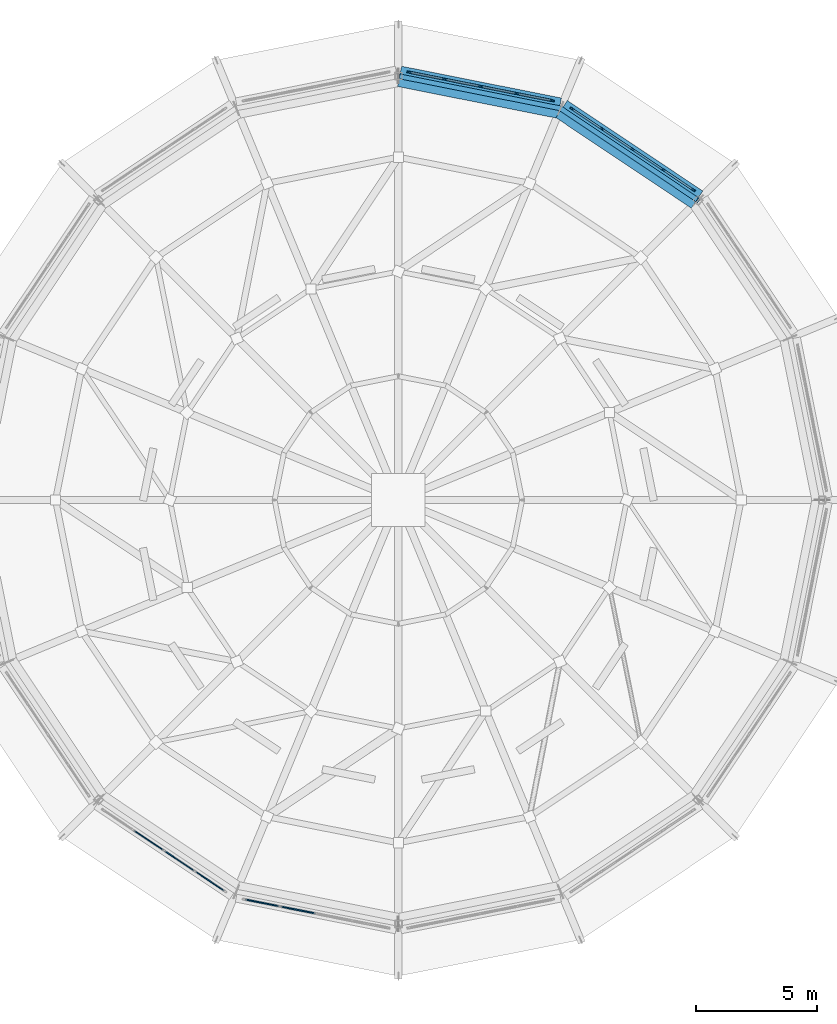
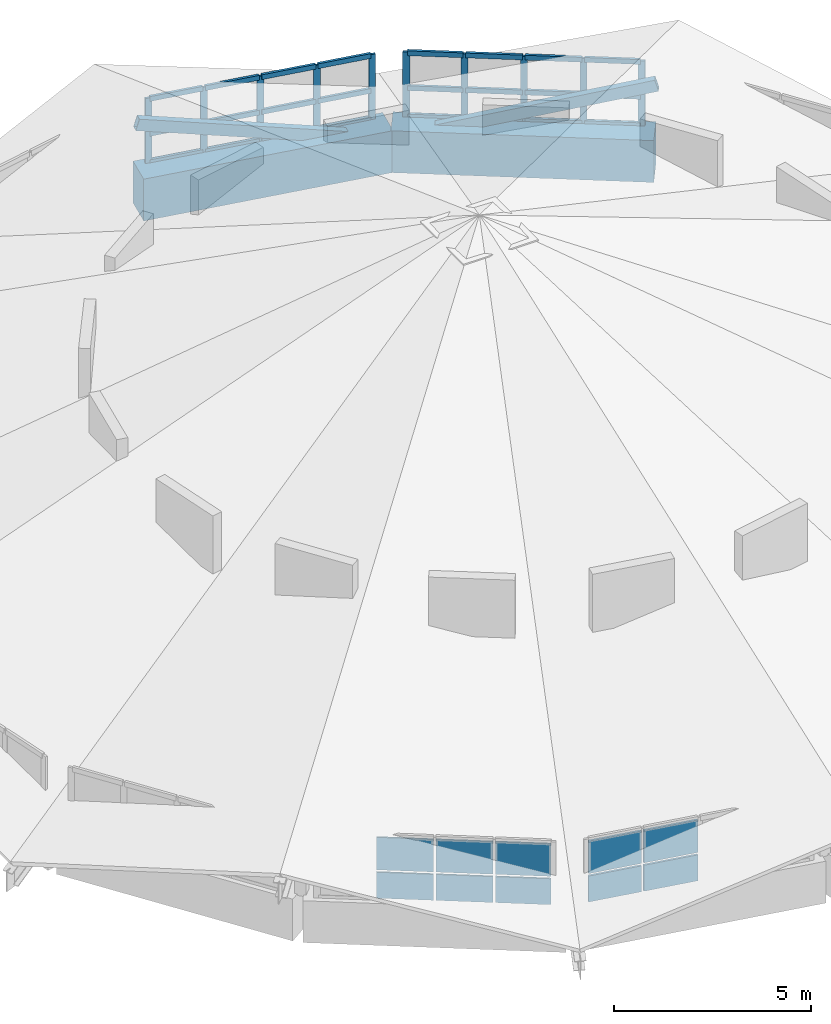
# One storey, part 8 of 18: 36 members, 10 plates, 2 beams, 4 elements without a shape of their own.
"""IFC4 building model written with IfcOpenShell, lengths in metres."""

from ifc_helpers import new_model, si_unit, direction, frame, origin, origin_2d, place, context, subcontext, project, spatial, rectangle, hollow_rectangle, extrude, material, layer, layer_set, material_profile, profile_set, type_object, element, aggregate, save


model = new_model("IFC4")

# Units and contexts
model_context = context("Model", 3, precision=1e-05, world=origin(), true_north=direction((0.0, 1.0)))
body_context = subcontext(model_context, "Body", "Model", "MODEL_VIEW")
ifc_project = project(units=[si_unit("LENGTHUNIT", "METRE"), si_unit("AREAUNIT", "SQUARE_METRE"), si_unit("VOLUMEUNIT", "CUBIC_METRE"), si_unit("PLANEANGLEUNIT", "RADIAN"), si_unit("MASSUNIT", "GRAM", prefix="KILO")], contexts=[model_context])

# Site, building, storey
site_placement = place(None, origin())
site = spatial("IfcSite", under=ifc_project, at=site_placement, CompositionType="ELEMENT")
building_placement = place(site_placement, origin())
building = spatial("IfcBuilding", under=site, at=building_placement, Name="Soyqirgoq Riverine Aquarium", CompositionType="ELEMENT")
storey_placement = place(building_placement, frame((0.0, 0.0, 29.39990234375)))
storey = spatial("IfcBuildingStorey", under=building, at=storey_placement, Name="RF", CompositionType="ELEMENT", Elevation=29.39990234375)

# Curtain wall, members
ifc_material_1 = material(Name="Anodised aluminium acoustic solar-control clerestory glazing", Category="aluminium")
curtain_wall_type = type_object("IfcCurtainWallType", Name="CW_Clerestory_Ring", PredefinedType="NOTDEFINED", material=ifc_material_1)
curtain_wall_1_placement = place(storey_placement, origin())
curtain_wall_1 = element("IfcCurtainWall", 1, at=curtain_wall_1_placement, inside=storey, type_object=curtain_wall_type, Name="V1 RF Curtain Wall 011", PredefinedType="NOTDEFINED")
ifc_material_2 = material(Name="Anodised aluminium 6063-T6", Category="aluminium")
ifc_material_profile_1 = material_profile(ifc_material_2, rectangle(XDim=0.06494140625, YDim=0.179931640625, at=origin_2d()), Name="ALU-M 65x180")
ifc_profile_set_1 = profile_set([ifc_material_profile_1], Name="Anodised aluminium 6063-T6")
member_type_1 = type_object("IfcMemberType", Name="CWMullion_65x180", PredefinedType="MULLION", material=ifc_profile_set_1)
member_1_placement = place(storey_placement, frame((68.1396484375, 69.76708984375, -0.02001953125), z_axis=(0.0, 0.0, 1.0), x_axis=(-0.555578639957, -0.831463994905, 0.0)))
member_1 = element("IfcMember", 2, at=member_1_placement, type_object=member_type_1, Name="CW-02 mullion 1", PredefinedType="MULLION", context=body_context, shape_type="SweptSolid", body=[
    extrude(rectangle(XDim=0.06494140625, YDim=0.179931640625, at=origin_2d()), origin(), (0.0, 0.0, 1.0), 2.0400390625),
])
member_2_placement = place(storey_placement, frame((66.905517578125, 70.591796875, -0.02001953125), z_axis=(0.0, 0.0, 1.0), x_axis=(-0.555578639957, -0.831463994905, 0.0)))
member_2 = element("IfcMember", 3, at=member_2_placement, type_object=member_type_1, Name="CW-02 mullion 2", PredefinedType="MULLION", context=body_context, shape_type="SweptSolid", body=[
    extrude(rectangle(XDim=0.06494140625, YDim=0.179931640625, at=origin_2d()), origin(), (0.0, 0.0, 1.0), 2.0400390625),
])
member_3_placement = place(storey_placement, frame((65.64453125, 71.434326171875, -0.02001953125), z_axis=(0.0, 0.0, 1.0), x_axis=(-0.555578639957, -0.831463994905, 0.0)))
member_3 = element("IfcMember", 4, at=member_3_placement, type_object=member_type_1, Name="CW-02 mullion 3", PredefinedType="MULLION", context=body_context, shape_type="SweptSolid", body=[
    extrude(rectangle(XDim=0.06494140625, YDim=0.179931640625, at=origin_2d()), origin(), (0.0, 0.0, 1.0), 2.0400390625),
])
member_4_placement = place(storey_placement, frame((64.3837890625, 72.27685546875, -0.02001953125), z_axis=(0.0, 0.0, 1.0), x_axis=(-0.555578639957, -0.831463994905, 0.0)))
member_4 = element("IfcMember", 5, at=member_4_placement, type_object=member_type_1, Name="CW-02 mullion 4", PredefinedType="MULLION", context=body_context, shape_type="SweptSolid", body=[
    extrude(rectangle(XDim=0.06494140625, YDim=0.179931640625, at=origin_2d()), origin(), (0.0, 0.0, 1.0), 2.0400390625),
])
member_5_placement = place(storey_placement, frame((63.149658203125, 73.101318359375, -0.02001953125), z_axis=(0.0, 0.0, 1.0), x_axis=(-0.555578639957, -0.831463994905, 0.0)))
member_5 = element("IfcMember", 6, at=member_5_placement, type_object=member_type_1, Name="CW-02 mullion 5", PredefinedType="MULLION", context=body_context, shape_type="SweptSolid", body=[
    extrude(rectangle(XDim=0.06494140625, YDim=0.179931640625, at=origin_2d()), origin(), (0.0, 0.0, 1.0), 2.0400390625),
])

curtain_wall_2_placement = place(storey_placement, origin())
curtain_wall_2 = element("IfcCurtainWall", 7, at=curtain_wall_2_placement, inside=storey, type_object=curtain_wall_type, Name="V1 RF Curtain Wall 018", PredefinedType="NOTDEFINED")
member_6_placement = place(storey_placement, frame((62.329833984375, 73.44091796875, -0.02001953125), z_axis=(0.0, 0.0, 1.0), x_axis=(-0.19509525167, -0.980784299821, 0.0)))
member_6 = element("IfcMember", 8, at=member_6_placement, type_object=member_type_1, Name="CW-02 mullion 1", PredefinedType="MULLION", context=body_context, shape_type="SweptSolid", body=[
    extrude(rectangle(XDim=0.06494140625, YDim=0.179931640625, at=origin_2d()), origin(), (0.0, 0.0, 1.0), 2.0400390625),
])
member_7_placement = place(storey_placement, frame((60.874267578125, 73.73046875, -0.02001953125), z_axis=(0.0, 0.0, 1.0), x_axis=(-0.19509525167, -0.980784299821, 0.0)))
member_7 = element("IfcMember", 9, at=member_7_placement, type_object=member_type_1, Name="CW-02 mullion 2", PredefinedType="MULLION", context=body_context, shape_type="SweptSolid", body=[
    extrude(rectangle(XDim=0.06494140625, YDim=0.179931640625, at=origin_2d()), origin(), (0.0, 0.0, 1.0), 2.0400390625),
])
member_8_placement = place(storey_placement, frame((59.38671875, 74.0263671875, -0.02001953125), z_axis=(0.0, 0.0, 1.0), x_axis=(-0.19509525167, -0.980784299821, 0.0)))
member_8 = element("IfcMember", 10, at=member_8_placement, type_object=member_type_1, Name="CW-02 mullion 3", PredefinedType="MULLION", context=body_context, shape_type="SweptSolid", body=[
    extrude(rectangle(XDim=0.06494140625, YDim=0.179931640625, at=origin_2d()), origin(), (0.0, 0.0, 1.0), 2.0400390625),
])
member_9_placement = place(storey_placement, frame((57.8994140625, 74.322265625, -0.02001953125), z_axis=(0.0, 0.0, 1.0), x_axis=(-0.19509525167, -0.980784299821, 0.0)))
member_9 = element("IfcMember", 11, at=member_9_placement, type_object=member_type_1, Name="CW-02 mullion 4", PredefinedType="MULLION", context=body_context, shape_type="SweptSolid", body=[
    extrude(rectangle(XDim=0.06494140625, YDim=0.179931640625, at=origin_2d()), origin(), (0.0, 0.0, 1.0), 2.0400390625),
])
member_10_placement = place(storey_placement, frame((56.44384765625, 74.61181640625, -0.02001953125), z_axis=(0.0, 0.0, 1.0), x_axis=(-0.19509525167, -0.980784299821, 0.0)))
member_10 = element("IfcMember", 12, at=member_10_placement, type_object=member_type_1, Name="CW-02 mullion 5", PredefinedType="MULLION", context=body_context, shape_type="SweptSolid", body=[
    extrude(rectangle(XDim=0.06494140625, YDim=0.179931640625, at=origin_2d()), origin(), (0.0, 0.0, 1.0), 2.0400390625),
])

# Member
ifc_material_3 = material(Name="Anodised aluminium 6063-T6", Category="aluminium")
ifc_material_profile_2 = material_profile(ifc_material_3, rectangle(XDim=0.074951171875, YDim=0.14990234375, at=origin_2d()), Name="ALU-T 75x150")
ifc_profile_set_2 = profile_set([ifc_material_profile_2], Name="Anodised aluminium 6063-T6")
member_type_2 = type_object("IfcMemberType", Name="CWTransom_75x150", PredefinedType="USERDEFINED", material=ifc_profile_set_2)
member_11_placement = place(storey_placement, frame((68.112548828125, 69.78515625, 0.017578125), z_axis=(-0.831414566046, 0.555652606731, 0.0), x_axis=(-0.555652606731, -0.831414566046, 0.0)))
member_11 = element("IfcMember", 13, at=member_11_placement, type_object=member_type_2, Name="CW-02 transom 1.1", ObjectType="TRANSOM", PredefinedType="USERDEFINED", context=body_context, shape_type="SweptSolid", body=[
    extrude(rectangle(XDim=0.074951171875, YDim=0.14990234375, at=origin_2d()), origin(), (0.0, 0.0, 1.0), 1.419189453125),
])

member_12_placement = place(storey_placement, frame((68.112548828125, 69.78515625, 0.898193359375), z_axis=(-0.831414566046, 0.555652606731, 0.0), x_axis=(-0.555652606731, -0.831414566046, 0.0)))
member_12 = element("IfcMember", 14, at=member_12_placement, type_object=member_type_2, Name="CW-02 transom 1.2", ObjectType="TRANSOM", PredefinedType="USERDEFINED", context=body_context, shape_type="SweptSolid", body=[
    extrude(rectangle(XDim=0.074951171875, YDim=0.14990234375, at=origin_2d()), origin(), (0.0, 0.0, 1.0), 1.419189453125),
])

member_13_placement = place(storey_placement, frame((68.112548828125, 69.78515625, 1.982666015625), z_axis=(-0.831414566046, 0.555652606731, 0.0), x_axis=(-0.555652606731, -0.831414566046, 0.0)))
member_13 = element("IfcMember", 15, at=member_13_placement, type_object=member_type_2, Name="CW-02 transom 1.3", ObjectType="TRANSOM", PredefinedType="USERDEFINED", context=body_context, shape_type="SweptSolid", body=[
    extrude(rectangle(XDim=0.074951171875, YDim=0.14990234375, at=origin_2d()), origin(), (0.0, 0.0, 1.0), 1.419189453125),
])

member_14_placement = place(storey_placement, frame((66.878662109375, 70.609619140625, 0.017578125), z_axis=(-0.831428840366, 0.555631247688, 0.0), x_axis=(-0.555631247688, -0.831428840366, 0.0)))
member_14 = element("IfcMember", 16, at=member_14_placement, type_object=member_type_2, Name="CW-02 transom 2.1", ObjectType="TRANSOM", PredefinedType="USERDEFINED", context=body_context, shape_type="SweptSolid", body=[
    extrude(rectangle(XDim=0.074951171875, YDim=0.14990234375, at=origin_2d()), origin(), (0.0, 0.0, 1.0), 1.45166015625),
])

member_15_placement = place(storey_placement, frame((66.878662109375, 70.609619140625, 0.898193359375), z_axis=(-0.831428840366, 0.555631247688, 0.0), x_axis=(-0.555631247688, -0.831428840366, 0.0)))
member_15 = element("IfcMember", 17, at=member_15_placement, type_object=member_type_2, Name="CW-02 transom 2.2", ObjectType="TRANSOM", PredefinedType="USERDEFINED", context=body_context, shape_type="SweptSolid", body=[
    extrude(rectangle(XDim=0.074951171875, YDim=0.14990234375, at=origin_2d()), origin(), (0.0, 0.0, 1.0), 1.45166015625),
])

member_16_placement = place(storey_placement, frame((66.878662109375, 70.609619140625, 1.982666015625), z_axis=(-0.831428840366, 0.555631247688, 0.0), x_axis=(-0.555631247688, -0.831428840366, 0.0)))
member_16 = element("IfcMember", 18, at=member_16_placement, type_object=member_type_2, Name="CW-02 transom 2.3", ObjectType="TRANSOM", PredefinedType="USERDEFINED", context=body_context, shape_type="SweptSolid", body=[
    extrude(rectangle(XDim=0.074951171875, YDim=0.14990234375, at=origin_2d()), origin(), (0.0, 0.0, 1.0), 1.45166015625),
])

member_17_placement = place(storey_placement, frame((65.61767578125, 71.452392578125, 0.017578125), z_axis=(-0.831506528289, 0.555514980368, 0.0), x_axis=(-0.555514980368, -0.831506528289, 0.0)))
member_17 = element("IfcMember", 19, at=member_17_placement, type_object=member_type_2, Name="CW-02 transom 3.1", ObjectType="TRANSOM", PredefinedType="USERDEFINED", context=body_context, shape_type="SweptSolid", body=[
    extrude(rectangle(XDim=0.074951171875, YDim=0.14990234375, at=origin_2d()), origin(), (0.0, 0.0, 1.0), 1.45166015625),
])

member_18_placement = place(storey_placement, frame((65.61767578125, 71.452392578125, 0.898193359375), z_axis=(-0.831506528289, 0.555514980368, 0.0), x_axis=(-0.555514980368, -0.831506528289, 0.0)))
member_18 = element("IfcMember", 20, at=member_18_placement, type_object=member_type_2, Name="CW-02 transom 3.2", ObjectType="TRANSOM", PredefinedType="USERDEFINED", context=body_context, shape_type="SweptSolid", body=[
    extrude(rectangle(XDim=0.074951171875, YDim=0.14990234375, at=origin_2d()), origin(), (0.0, 0.0, 1.0), 1.45166015625),
])

member_19_placement = place(storey_placement, frame((65.61767578125, 71.452392578125, 1.982666015625), z_axis=(-0.831506528289, 0.555514980368, 0.0), x_axis=(-0.555514980368, -0.831506528289, 0.0)))
member_19 = element("IfcMember", 21, at=member_19_placement, type_object=member_type_2, Name="CW-02 transom 3.3", ObjectType="TRANSOM", PredefinedType="USERDEFINED", context=body_context, shape_type="SweptSolid", body=[
    extrude(rectangle(XDim=0.074951171875, YDim=0.14990234375, at=origin_2d()), origin(), (0.0, 0.0, 1.0), 1.45166015625),
])

member_20_placement = place(storey_placement, frame((64.356689453125, 72.294921875, 0.017578125), z_axis=(-0.831494038542, 0.55553367483, 0.0), x_axis=(-0.55553367483, -0.831494038542, 0.0)))
member_20 = element("IfcMember", 22, at=member_20_placement, type_object=member_type_2, Name="CW-02 transom 4.1", ObjectType="TRANSOM", PredefinedType="USERDEFINED", context=body_context, shape_type="SweptSolid", body=[
    extrude(rectangle(XDim=0.074951171875, YDim=0.14990234375, at=origin_2d()), origin(), (0.0, 0.0, 1.0), 1.4189453125),
])

member_21_placement = place(storey_placement, frame((64.356689453125, 72.294921875, 0.898193359375), z_axis=(-0.831494038542, 0.55553367483, 0.0), x_axis=(-0.55553367483, -0.831494038542, 0.0)))
member_21 = element("IfcMember", 23, at=member_21_placement, type_object=member_type_2, Name="CW-02 transom 4.2", ObjectType="TRANSOM", PredefinedType="USERDEFINED", context=body_context, shape_type="SweptSolid", body=[
    extrude(rectangle(XDim=0.074951171875, YDim=0.14990234375, at=origin_2d()), origin(), (0.0, 0.0, 1.0), 1.4189453125),
])

member_22_placement = place(storey_placement, frame((64.356689453125, 72.294921875, 1.982666015625), z_axis=(-0.831494038542, 0.55553367483, 0.0), x_axis=(-0.55553367483, -0.831494038542, 0.0)))
member_22 = element("IfcMember", 24, at=member_22_placement, type_object=member_type_2, Name="CW-02 transom 4.3", ObjectType="TRANSOM", PredefinedType="USERDEFINED", context=body_context, shape_type="SweptSolid", body=[
    extrude(rectangle(XDim=0.074951171875, YDim=0.14990234375, at=origin_2d()), origin(), (0.0, 0.0, 1.0), 1.4189453125),
])

aggregate(curtain_wall_1, [member_1, member_2, member_3, member_4, member_5, member_11, member_12, member_13, member_14, member_15, member_16, member_17, member_18, member_19, member_20, member_21, member_22])

member_23_placement = place(storey_placement, frame((62.2978515625, 73.447265625, 0.017578125), z_axis=(-0.980785260864, 0.195090420246, 0.0), x_axis=(-0.195090420246, -0.980785260864, 0.0)))
member_23 = element("IfcMember", 25, at=member_23_placement, type_object=member_type_2, Name="CW-02 transom 1.1", ObjectType="TRANSOM", PredefinedType="USERDEFINED", context=body_context, shape_type="SweptSolid", body=[
    extrude(rectangle(XDim=0.074951171875, YDim=0.14990234375, at=origin_2d()), origin(), (0.0, 0.0, 1.0), 1.419189453125),
])

member_24_placement = place(storey_placement, frame((62.2978515625, 73.447265625, 0.898193359375), z_axis=(-0.980785260864, 0.195090420246, 0.0), x_axis=(-0.195090420246, -0.980785260864, 0.0)))
member_24 = element("IfcMember", 26, at=member_24_placement, type_object=member_type_2, Name="CW-02 transom 1.2", ObjectType="TRANSOM", PredefinedType="USERDEFINED", context=body_context, shape_type="SweptSolid", body=[
    extrude(rectangle(XDim=0.074951171875, YDim=0.14990234375, at=origin_2d()), origin(), (0.0, 0.0, 1.0), 1.419189453125),
])

member_25_placement = place(storey_placement, frame((62.2978515625, 73.447265625, 1.982666015625), z_axis=(-0.980785260864, 0.195090420246, 0.0), x_axis=(-0.195090420246, -0.980785260864, 0.0)))
member_25 = element("IfcMember", 27, at=member_25_placement, type_object=member_type_2, Name="CW-02 transom 1.3", ObjectType="TRANSOM", PredefinedType="USERDEFINED", context=body_context, shape_type="SweptSolid", body=[
    extrude(rectangle(XDim=0.074951171875, YDim=0.14990234375, at=origin_2d()), origin(), (0.0, 0.0, 1.0), 1.419189453125),
])

member_26_placement = place(storey_placement, frame((60.84228515625, 73.73681640625, 0.017578125), z_axis=(-0.980780710478, 0.195113295173, 0.0), x_axis=(-0.195113295173, -0.980780710478, 0.0)))
member_26 = element("IfcMember", 28, at=member_26_placement, type_object=member_type_2, Name="CW-02 transom 2.1", ObjectType="TRANSOM", PredefinedType="USERDEFINED", context=body_context, shape_type="SweptSolid", body=[
    extrude(rectangle(XDim=0.074951171875, YDim=0.14990234375, at=origin_2d()), origin(), (0.0, 0.0, 1.0), 1.451416015625),
])

member_27_placement = place(storey_placement, frame((60.84228515625, 73.73681640625, 0.898193359375), z_axis=(-0.980780710478, 0.195113295173, 0.0), x_axis=(-0.195113295173, -0.980780710478, 0.0)))
member_27 = element("IfcMember", 29, at=member_27_placement, type_object=member_type_2, Name="CW-02 transom 2.2", ObjectType="TRANSOM", PredefinedType="USERDEFINED", context=body_context, shape_type="SweptSolid", body=[
    extrude(rectangle(XDim=0.074951171875, YDim=0.14990234375, at=origin_2d()), origin(), (0.0, 0.0, 1.0), 1.451416015625),
])

member_28_placement = place(storey_placement, frame((60.84228515625, 73.73681640625, 1.982666015625), z_axis=(-0.980780710478, 0.195113295173, 0.0), x_axis=(-0.195113295173, -0.980780710478, 0.0)))
member_28 = element("IfcMember", 30, at=member_28_placement, type_object=member_type_2, Name="CW-02 transom 2.3", ObjectType="TRANSOM", PredefinedType="USERDEFINED", context=body_context, shape_type="SweptSolid", body=[
    extrude(rectangle(XDim=0.074951171875, YDim=0.14990234375, at=origin_2d()), origin(), (0.0, 0.0, 1.0), 1.451416015625),
])

member_29_placement = place(storey_placement, frame((59.35498046875, 74.03271484375, 0.017578125), z_axis=(-0.980787112176, 0.195081112847, 0.0), x_axis=(-0.195081112847, -0.980787112176, 0.0)))
member_29 = element("IfcMember", 31, at=member_29_placement, type_object=member_type_2, Name="CW-02 transom 3.1", ObjectType="TRANSOM", PredefinedType="USERDEFINED", context=body_context, shape_type="SweptSolid", body=[
    extrude(rectangle(XDim=0.074951171875, YDim=0.14990234375, at=origin_2d()), origin(), (0.0, 0.0, 1.0), 1.45166015625),
])

member_30_placement = place(storey_placement, frame((59.35498046875, 74.03271484375, 0.898193359375), z_axis=(-0.980787112176, 0.195081112847, 0.0), x_axis=(-0.195081112847, -0.980787112176, 0.0)))
member_30 = element("IfcMember", 32, at=member_30_placement, type_object=member_type_2, Name="CW-02 transom 3.2", ObjectType="TRANSOM", PredefinedType="USERDEFINED", context=body_context, shape_type="SweptSolid", body=[
    extrude(rectangle(XDim=0.074951171875, YDim=0.14990234375, at=origin_2d()), origin(), (0.0, 0.0, 1.0), 1.45166015625),
])

member_31_placement = place(storey_placement, frame((59.35498046875, 74.03271484375, 1.982666015625), z_axis=(-0.980787112176, 0.195081112847, 0.0), x_axis=(-0.195081112847, -0.980787112176, 0.0)))
member_31 = element("IfcMember", 33, at=member_31_placement, type_object=member_type_2, Name="CW-02 transom 3.3", ObjectType="TRANSOM", PredefinedType="USERDEFINED", context=body_context, shape_type="SweptSolid", body=[
    extrude(rectangle(XDim=0.074951171875, YDim=0.14990234375, at=origin_2d()), origin(), (0.0, 0.0, 1.0), 1.45166015625),
])

member_32_placement = place(storey_placement, frame((57.867431640625, 74.32861328125, 0.017578125), z_axis=(-0.980785260864, 0.195090420246, 0.0), x_axis=(-0.195090420246, -0.980785260864, 0.0)))
member_32 = element("IfcMember", 34, at=member_32_placement, type_object=member_type_2, Name="CW-02 transom 4.1", ObjectType="TRANSOM", PredefinedType="USERDEFINED", context=body_context, shape_type="SweptSolid", body=[
    extrude(rectangle(XDim=0.074951171875, YDim=0.14990234375, at=origin_2d()), origin(), (0.0, 0.0, 1.0), 1.419189453125),
])

member_33_placement = place(storey_placement, frame((57.867431640625, 74.32861328125, 0.898193359375), z_axis=(-0.980785260864, 0.195090420246, 0.0), x_axis=(-0.195090420246, -0.980785260864, 0.0)))
member_33 = element("IfcMember", 35, at=member_33_placement, type_object=member_type_2, Name="CW-02 transom 4.2", ObjectType="TRANSOM", PredefinedType="USERDEFINED", context=body_context, shape_type="SweptSolid", body=[
    extrude(rectangle(XDim=0.074951171875, YDim=0.14990234375, at=origin_2d()), origin(), (0.0, 0.0, 1.0), 1.419189453125),
])

member_34_placement = place(storey_placement, frame((57.867431640625, 74.32861328125, 1.982666015625), z_axis=(-0.980785260864, 0.195090420246, 0.0), x_axis=(-0.195090420246, -0.980785260864, 0.0)))
member_34 = element("IfcMember", 36, at=member_34_placement, type_object=member_type_2, Name="CW-02 transom 4.3", ObjectType="TRANSOM", PredefinedType="USERDEFINED", context=body_context, shape_type="SweptSolid", body=[
    extrude(rectangle(XDim=0.074951171875, YDim=0.14990234375, at=origin_2d()), origin(), (0.0, 0.0, 1.0), 1.419189453125),
])

aggregate(curtain_wall_2, [member_6, member_7, member_8, member_9, member_10, member_23, member_24, member_25, member_26, member_27, member_28, member_29, member_30, member_31, member_32, member_33, member_34])

# Members
ifc_material_4 = material(Name="Structural steel S355", Category="steel")
ifc_material_profile_3 = material_profile(ifc_material_4, hollow_rectangle(XDim=0.199951171875, YDim=0.35009765625, WallThickness=0.012451171875, at=origin_2d()), Name="RHS 350x200x12.5")
ifc_profile_set_3 = profile_set([ifc_material_profile_3], Name="Structural steel S355")
member_type_3 = type_object("IfcMemberType", Name="GableChord_RHS350x200", PredefinedType="CHORD", material=ifc_profile_set_3)
member_35_placement = place(storey_placement, frame((68.339111328125, 69.339111328125, 1.47998046875), z_axis=(-0.797786450374, 0.533015890105, -0.281834775172), x_axis=(-0.555535665087, -0.831492708817, 0.0)))
element("IfcMember", 37, at=member_35_placement, inside=storey, type_object=member_type_3, Name="V1 Folded-Plate Gable Edge Chord 03", PredefinedType="CHORD", context=body_context, shape_type="SweptSolid", body=[
    extrude(hollow_rectangle(XDim=0.199951171875, YDim=0.35009765625, WallThickness=0.012451171875, at=origin_2d()), origin(), (0.0, 0.0, 1.0), 7.096435546875),
])
member_36_placement = place(storey_placement, frame((62.677734375, 73.12158203125, -0.52001953125), z_axis=(-0.941023577126, 0.187193232054, 0.281839176068), x_axis=(-0.195102357575, -0.980782886305, 0.0)))
element("IfcMember", 38, at=member_36_placement, inside=storey, type_object=member_type_3, Name="V1 Folded-Plate Gable Edge Chord 04", PredefinedType="CHORD", context=body_context, shape_type="SweptSolid", body=[
    extrude(hollow_rectangle(XDim=0.199951171875, YDim=0.35009765625, WallThickness=0.012451171875, at=origin_2d()), origin(), (0.0, 0.0, 1.0), 7.09619140625),
])

# Beams
ifc_material_5 = material(Name="Concrete C40/50", Category="concrete")
ifc_material_profile_4 = material_profile(ifc_material_5, rectangle(XDim=0.85009765625, YDim=1.300048828125, at=origin_2d()), Name="RC 850x1300")
ifc_profile_set_4 = profile_set([ifc_material_profile_4], Name="Concrete C40/50")
beam_type = type_object("IfcBeamType", Name="Girder_RC_850x1300", PredefinedType="BEAM", material=ifc_profile_set_4)
beam_1_placement = place(storey_placement, frame((68.29736328125, 69.36669921875, -0.64990234375), z_axis=(-0.831450738832, 0.555598478126, 0.0), x_axis=(-0.555598478126, -0.831450738832, 0.0)))
element("IfcBeam", 39, at=beam_1_placement, inside=storey, type_object=beam_type, Name="V1 RF Folded-Plate Compression Ring Girder 0156", PredefinedType="BEAM", context=body_context, shape_type="SweptSolid", body=[
    extrude(rectangle(XDim=0.85009765625, YDim=1.300048828125, at=origin_2d()), origin(), (0.0, 0.0, 1.0), 6.70849609375),
])
beam_2_placement = place(storey_placement, frame((62.62890625, 73.131591796875, -0.64990234375), z_axis=(-0.980791457792, 0.195059263618, 0.0), x_axis=(-0.195059263618, -0.980791457792, 0.0)))
element("IfcBeam", 40, at=beam_2_placement, inside=storey, type_object=beam_type, Name="V1 RF Folded-Plate Compression Ring Girder 0157", PredefinedType="BEAM", context=body_context, shape_type="SweptSolid", body=[
    extrude(rectangle(XDim=0.85009765625, YDim=1.300048828125, at=origin_2d()), origin(), (0.0, 0.0, 1.0), 6.708740234375),
])

# Curtain wall, plates
curtain_wall_3_placement = place(storey_placement, origin())
curtain_wall_3 = element("IfcCurtainWall", 41, at=curtain_wall_3_placement, inside=storey, type_object=curtain_wall_type, Name="V1 RF Curtain Wall 047", PredefinedType="NOTDEFINED")
ifc_material_6 = material(Name="Triple insulated laminated low-E glass", Category="glass")
ifc_layer_1 = layer(ifc_material_6, 0.0458984375)
ifc_layer_set_1 = layer_set([ifc_layer_1], Name="Triple insulated laminated low-E glass")
plate_type_1 = type_object("IfcPlateType", Name="CWGlazedPanel_46", PredefinedType="CURTAIN_PANEL", material=ifc_layer_set_1)
plate_1_placement = place(storey_placement, frame((45.724853515625, 42.987060546875, 0.05517578125), z_axis=(0.0, 0.0, 1.0), x_axis=(0.831463994905, -0.555578639957, 0.0)))
plate_1 = element("IfcPlate", 42, at=plate_1_placement, type_object=plate_type_1, Name="CW-02 panel 2.1", PredefinedType="CURTAIN_PANEL", context=body_context, shape_type="SweptSolid", body=[
    extrude(rectangle(XDim=1.45166015625, YDim=0.0458984375, at=origin_2d()), origin(), (0.0, 0.0, 1.0), 0.805419921875),
])
plate_2_placement = place(storey_placement, frame((45.724853515625, 42.987060546875, 0.935546875), z_axis=(0.0, 0.0, 1.0), x_axis=(0.831463994905, -0.555578639957, 0.0)))
plate_2 = element("IfcPlate", 43, at=plate_2_placement, type_object=plate_type_1, Name="CW-02 panel 2.2", PredefinedType="CURTAIN_PANEL", context=body_context, shape_type="SweptSolid", body=[
    extrude(rectangle(XDim=1.45166015625, YDim=0.0458984375, at=origin_2d()), origin(), (0.0, 0.0, 1.0), 1.009521484375),
])
plate_3_placement = place(storey_placement, frame((46.98583984375, 42.14453125, 0.05517578125), z_axis=(0.0, 0.0, 1.0), x_axis=(0.831463994905, -0.555578639957, 0.0)))
plate_3 = element("IfcPlate", 44, at=plate_3_placement, type_object=plate_type_1, Name="CW-02 panel 3.1", PredefinedType="CURTAIN_PANEL", context=body_context, shape_type="SweptSolid", body=[
    extrude(rectangle(XDim=1.45166015625, YDim=0.0458984375, at=origin_2d()), origin(), (0.0, 0.0, 1.0), 0.805419921875),
])
plate_4_placement = place(storey_placement, frame((46.98583984375, 42.14453125, 0.935546875), z_axis=(0.0, 0.0, 1.0), x_axis=(0.831463994905, -0.555578639957, 0.0)))
plate_4 = element("IfcPlate", 45, at=plate_4_placement, type_object=plate_type_1, Name="CW-02 panel 3.2", PredefinedType="CURTAIN_PANEL", context=body_context, shape_type="SweptSolid", body=[
    extrude(rectangle(XDim=1.45166015625, YDim=0.0458984375, at=origin_2d()), origin(), (0.0, 0.0, 1.0), 1.009521484375),
])
plate_5_placement = place(storey_placement, frame((48.2333984375, 41.31103515625, 0.05517578125), z_axis=(0.0, 0.0, 1.0), x_axis=(0.831463994905, -0.555578639957, 0.0)))
plate_5 = element("IfcPlate", 46, at=plate_5_placement, type_object=plate_type_1, Name="CW-02 panel 4.1", PredefinedType="CURTAIN_PANEL", context=body_context, shape_type="SweptSolid", body=[
    extrude(rectangle(XDim=1.419189453125, YDim=0.0458984375, at=origin_2d()), origin(), (0.0, 0.0, 1.0), 0.805419921875),
])
plate_6_placement = place(storey_placement, frame((48.2333984375, 41.31103515625, 0.935546875), z_axis=(0.0, 0.0, 1.0), x_axis=(0.831463994905, -0.555578639957, 0.0)))
plate_6 = element("IfcPlate", 47, at=plate_6_placement, type_object=plate_type_1, Name="CW-02 panel 4.2", PredefinedType="CURTAIN_PANEL", context=body_context, shape_type="SweptSolid", body=[
    extrude(rectangle(XDim=1.419189453125, YDim=0.0458984375, at=origin_2d()), origin(), (0.0, 0.0, 1.0), 1.009521484375),
])
aggregate(curtain_wall_3, [plate_1, plate_2, plate_3, plate_4, plate_5, plate_6])

curtain_wall_4_placement = place(storey_placement, origin())
curtain_wall_4 = element("IfcCurtainWall", 48, at=curtain_wall_4_placement, inside=storey, type_object=curtain_wall_type, Name="V1 RF Curtain Wall 054", PredefinedType="NOTDEFINED")
ifc_material_7 = material(Name="Insulated shadow-box aluminium spandrel panel", Category="aluminium")
ifc_layer_2 = layer(ifc_material_7, 0.06005859375)
ifc_layer_set_2 = layer_set([ifc_layer_2], Name="Insulated shadow-box aluminium spandrel panel")
plate_type_2 = type_object("IfcPlateType", Name="CWSpandrelPanel_60", PredefinedType="CURTAIN_PANEL", material=ifc_layer_set_2)
plate_7_placement = place(storey_placement, frame((50.39794921875, 40.414306640625, 0.05517578125), z_axis=(0.0, 0.0, 1.0), x_axis=(0.980784299821, -0.19509525167, 0.0)))
plate_7 = element("IfcPlate", 49, at=plate_7_placement, type_object=plate_type_2, Name="CW-02 panel 1.1", PredefinedType="CURTAIN_PANEL", context=body_context, shape_type="SweptSolid", body=[
    extrude(rectangle(XDim=1.4189453125, YDim=0.06005859375, at=origin_2d()), origin(), (0.0, 0.0, 1.0), 0.805419921875),
])
plate_8_placement = place(storey_placement, frame((50.39794921875, 40.414306640625, 0.935546875), z_axis=(0.0, 0.0, 1.0), x_axis=(0.980784299821, -0.19509525167, 0.0)))
plate_8 = element("IfcPlate", 50, at=plate_8_placement, type_object=plate_type_2, Name="CW-02 panel 1.2", PredefinedType="CURTAIN_PANEL", context=body_context, shape_type="SweptSolid", body=[
    extrude(rectangle(XDim=1.4189453125, YDim=0.06005859375, at=origin_2d()), origin(), (0.0, 0.0, 1.0), 1.009521484375),
])
plate_9_placement = place(storey_placement, frame((51.86962890625, 40.12158203125, 0.05517578125), z_axis=(0.0, 0.0, 1.0), x_axis=(0.980784299821, -0.19509525167, 0.0)))
plate_9 = element("IfcPlate", 51, at=plate_9_placement, type_object=plate_type_2, Name="CW-02 panel 2.1", PredefinedType="CURTAIN_PANEL", context=body_context, shape_type="SweptSolid", body=[
    extrude(rectangle(XDim=1.45166015625, YDim=0.06005859375, at=origin_2d()), origin(), (0.0, 0.0, 1.0), 0.805419921875),
])
plate_10_placement = place(storey_placement, frame((51.86962890625, 40.12158203125, 0.935546875), z_axis=(0.0, 0.0, 1.0), x_axis=(0.980784299821, -0.19509525167, 0.0)))
plate_10 = element("IfcPlate", 52, at=plate_10_placement, type_object=plate_type_2, Name="CW-02 panel 2.2", PredefinedType="CURTAIN_PANEL", context=body_context, shape_type="SweptSolid", body=[
    extrude(rectangle(XDim=1.45166015625, YDim=0.06005859375, at=origin_2d()), origin(), (0.0, 0.0, 1.0), 1.009521484375),
])
aggregate(curtain_wall_4, [plate_7, plate_8, plate_9, plate_10])

save(model, "model.ifc")
